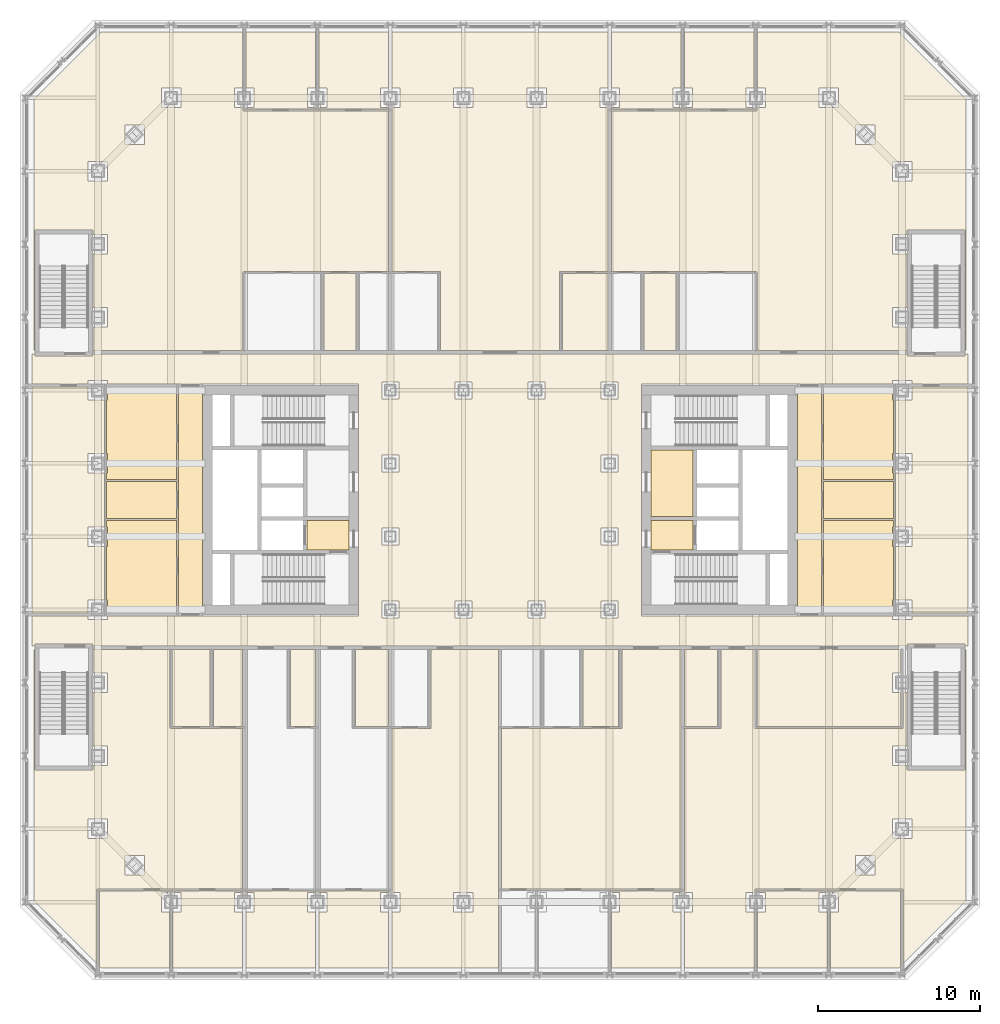
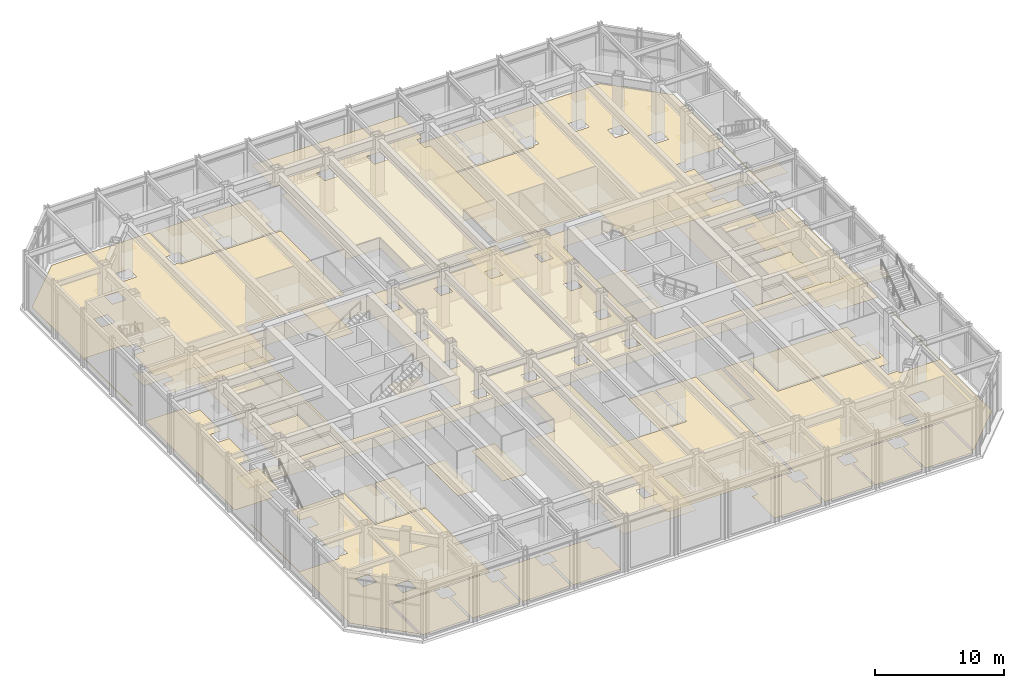
# One storey, part 18 of 19: 4 coverings.
"""IFC4 building model written with IfcOpenShell, lengths in metres."""

import ifcopenshell
import ifcopenshell.guid

model = None  # the IFC model being written
_history = None  # IfcOwnerHistory: only IFC2X3 demands one
_inside = {}  # id of a spatial element -> (the spatial element, [elements in it])
_under = {}  # id of a project, library or spatial element -> (it, [spatial elements below it])
_declared = {}  # id of a project -> (the project, [libraries it declares])
_typed = {}  # id of a type object -> (the type object, [elements of that type])
_made_of = {}  # id of a material, layer set ... -> (it, [elements and type objects made of it])


def new_model(schema):
    """Start an empty IFC model of exactly this schema.

    Asked for "IFC4X3", IfcOpenShell would pick the latest addendum, in which some entities
    have other attributes; the version numbers below select the first issue.
    IFC2X3 requires an IfcOwnerHistory on every rooted entity: one is made here for all.
    """
    global model, _history
    if schema == "IFC4X3":
        model = ifcopenshell.file(schema_version=(4, 3, 0, 0))
    else:
        model = ifcopenshell.file(schema=schema)
    _inside.clear()
    _under.clear()
    _declared.clear()
    _typed.clear()
    _made_of.clear()
    _history = None
    if model.schema == "IFC2X3":
        org = make("IfcOrganization", Name="unknown")
        user = make(
            "IfcPersonAndOrganization",
            ThePerson=make("IfcPerson", FamilyName="unknown"),
            TheOrganization=org,
        )
        app = make(
            "IfcApplication",
            ApplicationDeveloper=org,
            Version="unknown",
            ApplicationFullName="unknown",
            ApplicationIdentifier="unknown",
        )
        _history = make(
            "IfcOwnerHistory",
            OwningUser=user,
            OwningApplication=app,
            ChangeAction="ADDED",
            CreationDate=0,
        )
    return model


def make(cls, **values):
    """One entity of the class cls with the attributes given. An attribute that is None is left unset."""
    return model.create_entity(
        cls, **{name: value for name, value in values.items() if value is not None}
    )


def rooted(cls, **values):
    """An entity with a GlobalId (a new one), such as an element, a storey or a relation."""
    return make(cls, GlobalId=ifcopenshell.guid.new(), OwnerHistory=_history, **values)


def si_unit(unit_type, name, prefix=None):
    """IfcSIUnit, for example si_unit("LENGTHUNIT", "METRE", prefix="MILLI")."""
    return make("IfcSIUnit", UnitType=unit_type, Prefix=prefix, Name=name)


def assignment(units):
    """IfcUnitAssignment: the units of a project."""
    return None if units is None else make("IfcUnitAssignment", Units=units)


def point(xyz):
    """IfcCartesianPoint."""
    return None if xyz is None else make("IfcCartesianPoint", Coordinates=xyz)


def direction(xyz):
    """IfcDirection."""
    return None if xyz is None else make("IfcDirection", DirectionRatios=xyz)


def frame(location, z_axis=None, x_axis=None):
    """IfcAxis2Placement3D, a coordinate frame: its origin and axes. An axis left out is left unset."""
    return make(
        "IfcAxis2Placement3D",
        Location=point(location),
        Axis=direction(z_axis),
        RefDirection=direction(x_axis),
    )


def origin():
    """The frame at (0, 0, 0) with its axes left unset."""
    return frame((0.0, 0.0, 0.0))


def place(relative_to, where):
    """IfcLocalPlacement: puts the frame where relative to a parent placement (None: the world)."""
    return make(
        "IfcLocalPlacement", PlacementRelTo=relative_to, RelativePlacement=where
    )


def context(
    kind, dimensions, precision=None, world=None, true_north=None, identifier=None
):
    """IfcGeometricRepresentationContext, for example the 3D "Model" context."""
    return make(
        "IfcGeometricRepresentationContext",
        ContextIdentifier=identifier,
        ContextType=kind,
        CoordinateSpaceDimension=dimensions,
        Precision=precision,
        WorldCoordinateSystem=world,
        TrueNorth=true_north,
    )


def subcontext(parent, identifier, kind, view, scale=None):
    """IfcGeometricRepresentationSubContext, for example "Body" below "Model"."""
    return make(
        "IfcGeometricRepresentationSubContext",
        ContextIdentifier=identifier,
        ContextType=kind,
        ParentContext=parent,
        TargetScale=scale,
        TargetView=view,
    )


def project(units=None, contexts=None):
    """IfcProject with its units and contexts."""
    return rooted(
        "IfcProject",
        Name="project",
        RepresentationContexts=contexts,
        UnitsInContext=assignment(units),
    )


def spatial(cls, under=None, at=None, **own):
    """A site, building, storey or space (cls), placed at a placement, below another one or the project."""
    s = rooted(cls, ObjectPlacement=at, **own)
    if under is not None:
        _under.setdefault(under.id(), (under, []))[1].append(s)
    return s


def point_list(points):
    """IfcCartesianPointList2D or 3D."""
    cls = (
        "IfcCartesianPointList2D" if len(points[0]) == 2 else "IfcCartesianPointList3D"
    )
    return make(cls, CoordList=points)


def line(*indices):
    """IfcLineIndex: a straight run through numbered points of an indexed curve."""
    return model.create_entity("IfcLineIndex", indices)


def indexed_curve(points, segments=None, self_intersect=None):
    """IfcIndexedPolyCurve: lines and arcs through numbered points (the first is 1)."""
    return make(
        "IfcIndexedPolyCurve",
        Points=point_list(points),
        Segments=segments,
        SelfIntersect=self_intersect,
    )


def outline(outer, holes=None, kind="AREA"):
    """IfcArbitraryClosedProfileDef: a profile drawn as a closed curve; with holes, ...WithVoids."""
    if holes is None:
        return make("IfcArbitraryClosedProfileDef", ProfileType=kind, OuterCurve=outer)
    return make(
        "IfcArbitraryProfileDefWithVoids",
        ProfileType=kind,
        OuterCurve=outer,
        InnerCurves=holes,
    )


def extrude(swept, where, along, depth):
    """IfcExtrudedAreaSolid: the profile swept, set in the frame where, extruded along a direction by depth."""
    return make(
        "IfcExtrudedAreaSolid",
        SweptArea=swept,
        Position=where,
        ExtrudedDirection=direction(along),
        Depth=depth,
    )


def shape(context_of_items, identifier, shape_type, items):
    """IfcShapeRepresentation: the items that make up one representation, for example the "Body"."""
    return make(
        "IfcShapeRepresentation",
        ContextOfItems=context_of_items,
        RepresentationIdentifier=identifier,
        RepresentationType=shape_type,
        Items=items,
    )


def material(Name=None, Category=None):
    """IfcMaterial."""
    return make("IfcMaterial", Name=Name, Category=Category)


def layer(
    of_material, thickness, ventilated=None, Name=None, Category=None, Priority=None
):
    """IfcMaterialLayer: one layer of a wall or slab, of a material (None: an air gap)."""
    return make(
        "IfcMaterialLayer",
        Material=of_material,
        LayerThickness=thickness,
        IsVentilated=ventilated,
        Name=Name,
        Category=Category,
        Priority=Priority,
    )


def layer_set(layers, Name=None):
    """IfcMaterialLayerSet."""
    return make("IfcMaterialLayerSet", MaterialLayers=layers, LayerSetName=Name)


def made_of(thing, what):
    """Note that an element or type object is made of a material, layer set ...; save() writes the relation."""
    if what is not None:
        _made_of.setdefault(what.id(), (what, []))[1].append(thing)
    return thing


def type_object(cls, material=None, **own):
    """A type object (cls), such as IfcWallType, which elements share."""
    return made_of(rooted(cls, **own), material)


def element(
    cls,
    number,
    at=None,
    inside=None,
    cuts=None,
    type_object=None,
    material=None,
    context=None,
    identifier="Body",
    shape_type=None,
    held_by="IfcProductDefinitionShape",
    body=None,
    shapes=None,
    **own,
):
    """One element of the class cls, such as IfcWall. Its Tag is "e" and its number.

    at: its placement. inside: the storey or other place that contains it. cuts: it is an
    opening in that element (IfcRelVoidsElement). A single representation is given by context,
    identifier, shape_type and body (its items); several are given by shapes. held_by: the class
    of the entity that holds the representations. save() writes the other relations.
    """
    e = rooted(cls, Tag="e%d" % number, ObjectPlacement=at, **own)
    if body is not None:
        shapes = [shape(context, identifier, shape_type, body)]
    if shapes is not None:
        e.Representation = make(held_by, Representations=shapes)
    if inside is not None:
        _inside.setdefault(inside.id(), (inside, []))[1].append(e)
    if cuts is not None:
        rooted(
            "IfcRelVoidsElement", RelatingBuildingElement=cuts, RelatedOpeningElement=e
        )
    if type_object is not None:
        _typed.setdefault(type_object.id(), (type_object, []))[1].append(e)
    return made_of(e, material)


def aggregate(whole, parts):
    """IfcRelAggregates: a whole, such as a stair, and the parts it consists of."""
    return rooted("IfcRelAggregates", RelatingObject=whole, RelatedObjects=parts)


def save(model, path):
    """Write the relations noted so far, then the file.

    IfcRelAggregates (storeys below a building ...), IfcRelContainedInSpatialStructure (elements
    in a storey), IfcRelDefinesByType, IfcRelAssociatesMaterial and IfcRelDeclares: one each for
    every whole, place, type object, material and project.
    """
    for whole, parts in _under.values():
        aggregate(whole, parts)
    for where, things in _inside.values():
        rooted(
            "IfcRelContainedInSpatialStructure",
            RelatedElements=things,
            RelatingStructure=where,
        )
    for kind, things in _typed.values():
        rooted("IfcRelDefinesByType", RelatedObjects=things, RelatingType=kind)
    for what, things in _made_of.values():
        rooted("IfcRelAssociatesMaterial", RelatedObjects=things, RelatingMaterial=what)
    for by, libraries in _declared.values():
        rooted("IfcRelDeclares", RelatingContext=by, RelatedDefinitions=libraries)
    model.write(path)


model = new_model("IFC4")

# Units and contexts
model_context = context("Model", 3, precision=1e-05, world=origin(), true_north=direction((0.0, 1.0)))
body_context = subcontext(model_context, "Body", "Model", "MODEL_VIEW")
ifc_project = project(units=[si_unit("LENGTHUNIT", "METRE"), si_unit("AREAUNIT", "SQUARE_METRE"), si_unit("VOLUMEUNIT", "CUBIC_METRE"), si_unit("PLANEANGLEUNIT", "RADIAN"), si_unit("MASSUNIT", "GRAM", prefix="KILO")], contexts=[model_context])

# Site, building, storey
site_placement = place(None, origin())
site = spatial("IfcSite", under=ifc_project, at=site_placement, CompositionType="ELEMENT")
building_placement = place(site_placement, origin())
building = spatial("IfcBuilding", under=site, at=building_placement, Name="Msasa Ring Tower", CompositionType="ELEMENT")
storey_placement = place(building_placement, frame((0.0, 0.0, 16.0)))
storey = spatial("IfcBuildingStorey", under=building, at=storey_placement, Name="L03", CompositionType="ELEMENT", Elevation=16.0)

# Coverings
ifc_material_1 = material(Name="Gypsum plasterboard on a steel suspension grid", Category="steel")
ifc_layer_1 = layer(ifc_material_1, 0.014892578125)
ifc_layer_set_1 = layer_set([ifc_layer_1], Name="C1 SUSPENDED PLASTERBOARD CEILING 15")
covering_type_1 = type_object("IfcCoveringType", Name="C1 SUSPENDED PLASTERBOARD CEILING 15", PredefinedType="CEILING", material=ifc_layer_set_1)
covering_1_placement = place(storey_placement, frame((0.0, 0.0, 2.39990234375)))
element("IfcCovering", 1, at=covering_1_placement, inside=storey, type_object=covering_type_1, Name="Suspended Plasterboard Ceiling 15 circulation L03", PredefinedType="CEILING", context=body_context, shape_type="SweptSolid", body=[
    extrude(outline(indexed_curve([(-9.300537109375, -1.275390625), (-9.300537109375, -3.074462890625), (-11.87451171875, -3.074462890625), (-11.87451171875, -1.275390625)], segments=[line(1, 2, 3, 4, 1)], self_intersect=False)), origin(), (0.0, 0.0, 1.0), 0.01513671875),
    extrude(outline(indexed_curve([(11.87451171875, -3.074462890625), (9.300537109375, -3.074462890625), (9.300537109375, -1.275390625), (11.87451171875, -1.275390625)], segments=[line(1, 2, 3, 4, 1)], self_intersect=False)), origin(), (0.0, 0.0, 1.0), 0.01513671875),
    extrude(outline(indexed_curve([(11.87451171875, -1.0244140625), (9.300537109375, -1.0244140625), (9.300537109375, 3.074462890625), (11.87451171875, 3.074462890625)], segments=[line(1, 2, 3, 4, 1)], self_intersect=False)), origin(), (0.0, 0.0, 1.0), 0.01513671875),
])
covering_2_placement = place(storey_placement, frame((0.0, 0.0, 3.199951171875)))
element("IfcCovering", 2, at=covering_2_placement, inside=storey, type_object=covering_type_1, Name="Suspended Plasterboard Ceiling 15 public rooms L03", PredefinedType="CEILING", context=body_context, shape_type="SweptSolid", body=[
    extrude(outline(indexed_curve([(-8.699462890625, 7.150390625), (-24.1494140625, 7.150390625), (-24.1494140625, 7.3505859375), (-25.3505859375, 7.3505859375), (-25.3505859375, 7.150390625), (-28.799560546875, 7.150390625), (-28.799560546875, 8.99951171875), (-28.625, 8.99951171875), (-28.625, 8.87451171875), (-25.074951171875, 8.87451171875), (-25.074951171875, 8.99951171875), (25.074951171875, 8.99951171875), (25.074951171875, 8.87451171875), (28.625, 8.87451171875), (28.625, 8.99951171875), (28.799560546875, 8.99951171875), (28.799560546875, 7.150390625), (25.3505859375, 7.150390625), (25.3505859375, 7.3505859375), (24.1494140625, 7.3505859375), (24.1494140625, 7.150390625), (8.699462890625, 7.150390625), (8.699462890625, -7.150390625), (24.1494140625, -7.150390625), (24.1494140625, -7.3505859375), (25.3505859375, -7.3505859375), (25.3505859375, -7.150390625), (28.799560546875, -7.150390625), (28.799560546875, -8.99951171875), (28.625, -8.99951171875), (28.625, -8.87451171875), (25.074951171875, -8.87451171875), (25.074951171875, -8.99951171875), (-25.074951171875, -8.99951171875), (-25.074951171875, -8.87451171875), (-28.625, -8.87451171875), (-28.625, -8.99951171875), (-28.799560546875, -8.99951171875), (-28.799560546875, -7.150390625), (-25.3505859375, -7.150390625), (-25.3505859375, -7.3505859375), (-24.1494140625, -7.3505859375), (-24.1494140625, -7.150390625), (-8.699462890625, -7.150390625)], segments=[line(1, 2, 3, 4, 5, 6, 7, 8, 9, 10, 11, 12, 13, 14, 15, 16, 17, 18, 19, 20, 21, 22, 23, 24, 25, 26, 27, 28, 29, 30, 31, 32, 33, 34, 35, 36, 37, 38, 39, 40, 41, 42, 43, 44, 1)], self_intersect=False), holes=[indexed_curve([(-6.224609375, -7.275390625), (-6.224609375, -6.224609375), (-7.275390625, -6.224609375), (-7.275390625, -7.275390625)], segments=[line(1, 2, 3, 4, 1)], self_intersect=False), indexed_curve([(-2.775390625, -7.275390625), (-1.724609375, -7.275390625), (-1.724609375, -6.224609375), (-2.775390625, -6.224609375)], segments=[line(1, 2, 3, 4, 1)], self_intersect=False), indexed_curve([(-7.275390625, -2.775390625), (-6.224609375, -2.775390625), (-6.224609375, -1.724609375), (-7.275390625, -1.724609375)], segments=[line(1, 2, 3, 4, 1)], self_intersect=False), indexed_curve([(-6.224609375, 1.724609375), (-6.224609375, 2.775390625), (-7.275390625, 2.775390625), (-7.275390625, 1.724609375)], segments=[line(1, 2, 3, 4, 1)], self_intersect=False), indexed_curve([(-6.224609375, 6.224609375), (-6.224609375, 7.275390625), (-7.275390625, 7.275390625), (-7.275390625, 6.224609375)], segments=[line(1, 2, 3, 4, 1)], self_intersect=False), indexed_curve([(-1.724609375, 6.224609375), (-1.724609375, 7.275390625), (-2.775390625, 7.275390625), (-2.775390625, 6.224609375)], segments=[line(1, 2, 3, 4, 1)], self_intersect=False), indexed_curve([(2.775390625, -7.275390625), (2.775390625, -6.224609375), (1.724609375, -6.224609375), (1.724609375, -7.275390625)], segments=[line(1, 2, 3, 4, 1)], self_intersect=False), indexed_curve([(7.275390625, -7.275390625), (7.275390625, -6.224609375), (6.224609375, -6.224609375), (6.224609375, -7.275390625)], segments=[line(1, 2, 3, 4, 1)], self_intersect=False), indexed_curve([(6.224609375, -2.775390625), (7.275390625, -2.775390625), (7.275390625, -1.724609375), (6.224609375, -1.724609375)], segments=[line(1, 2, 3, 4, 1)], self_intersect=False), indexed_curve([(6.224609375, 1.724609375), (7.275390625, 1.724609375), (7.275390625, 2.775390625), (6.224609375, 2.775390625)], segments=[line(1, 2, 3, 4, 1)], self_intersect=False), indexed_curve([(2.775390625, 6.224609375), (2.775390625, 7.275390625), (1.724609375, 7.275390625), (1.724609375, 6.224609375)], segments=[line(1, 2, 3, 4, 1)], self_intersect=False), indexed_curve([(7.275390625, 6.224609375), (7.275390625, 7.275390625), (6.224609375, 7.275390625), (6.224609375, 6.224609375)], segments=[line(1, 2, 3, 4, 1)], self_intersect=False)]), origin(), (0.0, 0.0, 1.0), 0.01513671875),
    extrude(outline(indexed_curve([(-0.1005859375, -9.200439453125), (-0.1005859375, -28.799560546875), (-6.6494140625, -28.799560546875), (-6.6494140625, -25.3505859375), (-6.1494140625, -25.3505859375), (-6.1494140625, -24.1494140625), (-6.6494140625, -24.1494140625), (-6.6494140625, -14.060546875), (-4.24951171875, -14.060546875), (-4.24951171875, -9.200439453125)], segments=[line(1, 2, 3, 4, 5, 6, 7, 8, 9, 10, 1)], self_intersect=False), holes=[indexed_curve([(-1.6494140625, -25.3505859375), (-1.6494140625, -24.1494140625), (-2.8505859375, -24.1494140625), (-2.8505859375, -25.3505859375)], segments=[line(1, 2, 3, 4, 1)], self_intersect=False)]), origin(), (0.0, 0.0, 1.0), 0.01513671875),
    extrude(outline(indexed_curve([(-3.6494140625, 9.200439453125), (-3.6494140625, 14.060546875), (-6.6494140625, 14.060546875), (-6.6494140625, 24.1494140625), (-6.1494140625, 24.1494140625), (-6.1494140625, 25.3505859375), (-6.6494140625, 25.3505859375), (-6.6494140625, 28.799560546875), (6.6494140625, 28.799560546875), (6.6494140625, 25.3505859375), (6.1494140625, 25.3505859375), (6.1494140625, 24.1494140625), (6.6494140625, 24.1494140625), (6.6494140625, 14.060546875), (3.6494140625, 14.060546875), (3.6494140625, 9.200439453125)], segments=[line(1, 2, 3, 4, 5, 6, 7, 8, 9, 10, 11, 12, 13, 14, 15, 16, 1)], self_intersect=False), holes=[indexed_curve([(-2.8505859375, 24.1494140625), (-1.6494140625, 24.1494140625), (-1.6494140625, 25.3505859375), (-2.8505859375, 25.3505859375)], segments=[line(1, 2, 3, 4, 1)], self_intersect=False), indexed_curve([(1.6494140625, 24.1494140625), (2.8505859375, 24.1494140625), (2.8505859375, 25.3505859375), (1.6494140625, 25.3505859375)], segments=[line(1, 2, 3, 4, 1)], self_intersect=False)]), origin(), (0.0, 0.0, 1.0), 0.01513671875),
])
ifc_material_2 = material(Name="Moisture-resistant gypsum plasterboard on a steel suspension grid", Category="steel")
ifc_layer_2 = layer(ifc_material_2, 0.014892578125)
ifc_layer_set_2 = layer_set([ifc_layer_2], Name="C2 MOISTURE-RESISTANT PLASTERBOARD CEILING 15")
covering_type_2 = type_object("IfcCoveringType", Name="C2 MOISTURE-RESISTANT PLASTERBOARD CEILING 15", PredefinedType="CEILING", material=ifc_layer_set_2)
covering_3_placement = place(storey_placement, frame((0.0, 0.0, 2.39990234375)))
element("IfcCovering", 3, at=covering_3_placement, inside=storey, type_object=covering_type_2, Name="Moisture-Resistant Plasterboard Ceiling 15 L03", PredefinedType="CEILING", context=body_context, shape_type="SweptSolid", body=[
    extrude(outline(indexed_curve([(-24.239501953125, -2.8505859375), (-24.1494140625, -2.8505859375), (-24.1494140625, -1.6494140625), (-24.239501953125, -1.6494140625), (-24.239501953125, -1.255615234375), (-19.905517578125, -1.255615234375), (-19.905517578125, -6.949462890625), (-24.1494140625, -6.949462890625), (-24.1494140625, -6.1494140625), (-24.239501953125, -6.1494140625)], segments=[line(1, 2, 3, 4, 5, 6, 7, 8, 9, 10, 1)], self_intersect=False)), origin(), (0.0, 0.0, 1.0), 0.01513671875),
    extrude(outline(indexed_curve([(-24.239501953125, -1.14453125), (-24.239501953125, 1.14453125), (-19.905517578125, 1.14453125), (-19.905517578125, -1.14453125)], segments=[line(1, 2, 3, 4, 1)], self_intersect=False)), origin(), (0.0, 0.0, 1.0), 0.01513671875),
    extrude(outline(indexed_curve([(-24.239501953125, 1.255615234375), (-24.239501953125, 1.6494140625), (-24.1494140625, 1.6494140625), (-24.1494140625, 2.8505859375), (-24.239501953125, 2.8505859375), (-24.239501953125, 6.1494140625), (-24.1494140625, 6.1494140625), (-24.1494140625, 6.949462890625), (-19.905517578125, 6.949462890625), (-19.905517578125, 1.255615234375)], segments=[line(1, 2, 3, 4, 5, 6, 7, 8, 9, 10, 1)], self_intersect=False)), origin(), (0.0, 0.0, 1.0), 0.01513671875),
    extrude(outline(indexed_curve([(-19.79443359375, 6.949462890625), (-18.300537109375, 6.949462890625), (-18.300537109375, -6.949462890625), (-19.79443359375, -6.949462890625)], segments=[line(1, 2, 3, 4, 1)], self_intersect=False)), origin(), (0.0, 0.0, 1.0), 0.01513671875),
    extrude(outline(indexed_curve([(18.300537109375, -6.949462890625), (18.300537109375, 6.949462890625), (19.79443359375, 6.949462890625), (19.79443359375, -6.949462890625)], segments=[line(1, 2, 3, 4, 1)], self_intersect=False)), origin(), (0.0, 0.0, 1.0), 0.01513671875),
    extrude(outline(indexed_curve([(19.905517578125, -1.255615234375), (24.239501953125, -1.255615234375), (24.239501953125, -1.6494140625), (24.1494140625, -1.6494140625), (24.1494140625, -2.8505859375), (24.239501953125, -2.8505859375), (24.239501953125, -6.1494140625), (24.1494140625, -6.1494140625), (24.1494140625, -6.949462890625), (19.905517578125, -6.949462890625)], segments=[line(1, 2, 3, 4, 5, 6, 7, 8, 9, 10, 1)], self_intersect=False)), origin(), (0.0, 0.0, 1.0), 0.01513671875),
    extrude(outline(indexed_curve([(19.905517578125, -1.14453125), (19.905517578125, 1.14453125), (24.239501953125, 1.14453125), (24.239501953125, -1.14453125)], segments=[line(1, 2, 3, 4, 1)], self_intersect=False)), origin(), (0.0, 0.0, 1.0), 0.01513671875),
    extrude(outline(indexed_curve([(19.905517578125, 1.255615234375), (19.905517578125, 6.949462890625), (24.1494140625, 6.949462890625), (24.1494140625, 6.1494140625), (24.239501953125, 6.1494140625), (24.239501953125, 2.8505859375), (24.1494140625, 2.8505859375), (24.1494140625, 1.6494140625), (24.239501953125, 1.6494140625), (24.239501953125, 1.255615234375)], segments=[line(1, 2, 3, 4, 5, 6, 7, 8, 9, 10, 1)], self_intersect=False)), origin(), (0.0, 0.0, 1.0), 0.01513671875),
])
ifc_material_3 = material(Name="Welded vinyl safety sheet flooring", Category="vinyl")
ifc_layer_3 = layer(ifc_material_3, 0.0029296875)
ifc_layer_set_3 = layer_set([ifc_layer_3], Name="F5 RESILIENT SHEET FLOORING 3")
covering_type_3 = type_object("IfcCoveringType", Name="F5 RESILIENT SHEET FLOORING 3", PredefinedType="FLOORING", material=ifc_layer_set_3)
covering_4_placement = place(storey_placement, origin())
element("IfcCovering", 4, at=covering_4_placement, inside=storey, type_object=covering_type_3, Name="Resilient Sheet Flooring 3 L03", PredefinedType="FLOORING", context=body_context, shape_type="SweptSolid", body=[
    extrude(outline(indexed_curve([(-28.799560546875, 6.949462890625), (-25.3505859375, 6.949462890625), (-25.3505859375, 6.1494140625), (-24.3505859375, 6.1494140625), (-24.3505859375, 2.8505859375), (-25.3505859375, 2.8505859375), (-25.3505859375, 1.6494140625), (-24.3505859375, 1.6494140625), (-24.3505859375, -1.6494140625), (-25.3505859375, -1.6494140625), (-25.3505859375, -2.8505859375), (-24.3505859375, -2.8505859375), (-24.3505859375, -6.1494140625), (-25.3505859375, -6.1494140625), (-25.3505859375, -6.949462890625), (-28.799560546875, -6.949462890625)], segments=[line(1, 2, 3, 4, 5, 6, 7, 8, 9, 10, 11, 12, 13, 14, 15, 16, 1)], self_intersect=False)), origin(), (0.0, 0.0, 1.0), 0.0029296875),
    extrude(outline(indexed_curve([(-25.069580078125, -16.3505859375), (-24.1494140625, -16.3505859375), (-24.1494140625, -15.1494140625), (-25.069580078125, -15.1494140625), (-25.069580078125, -11.8505859375), (-24.1494140625, -11.8505859375), (-24.1494140625, -10.6494140625), (-25.069580078125, -10.6494140625), (-25.069580078125, -9.200439453125), (-20.3505859375, -9.200439453125), (-20.3505859375, -14.060546875), (-15.8505859375, -14.060546875), (-15.8505859375, -23.939453125), (-24.810546875, -23.939453125), (-24.810546875, -28.552490234375), (-28.699462890625, -24.663330078125), (-28.699462890625, -9.200439453125), (-28.630615234375, -9.200439453125), (-28.630615234375, -16.630615234375), (-25.069580078125, -16.630615234375)], segments=[line(1, 2, 3, 4, 5, 6, 7, 8, 9, 10, 11, 12, 13, 14, 15, 16, 17, 18, 19, 20, 1)], self_intersect=False), holes=[indexed_curve([(-23.1005859375, -23.1005859375), (-21.8994140625, -23.1005859375), (-21.8994140625, -21.8994140625), (-23.1005859375, -21.8994140625)], segments=[line(1, 2, 3, 4, 1)], self_intersect=False), indexed_curve([(-24.1494140625, -20.8505859375), (-24.1494140625, -19.6494140625), (-25.3505859375, -19.6494140625), (-25.3505859375, -20.8505859375)], segments=[line(1, 2, 3, 4, 1)], self_intersect=False)]), origin(), (0.0, 0.0, 1.0), 0.0029296875),
    extrude(outline(indexed_curve([(-25.069580078125, 10.6494140625), (-24.1494140625, 10.6494140625), (-24.1494140625, 11.8505859375), (-25.069580078125, 11.8505859375), (-25.069580078125, 15.1494140625), (-24.1494140625, 15.1494140625), (-24.1494140625, 16.3505859375), (-25.069580078125, 16.3505859375), (-25.069580078125, 16.630615234375), (-28.630615234375, 16.630615234375), (-28.630615234375, 9.200439453125), (-28.699462890625, 9.200439453125), (-28.699462890625, 24.663330078125), (-24.5634765625, 28.799560546875), (-15.810546875, 28.799560546875), (-15.810546875, 25.3505859375), (-16.3505859375, 25.3505859375), (-16.3505859375, 24.1494140625), (-15.810546875, 24.1494140625), (-15.810546875, 23.939453125), (-6.8505859375, 23.939453125), (-6.8505859375, 14.060546875), (-15.8505859375, 14.060546875), (-15.8505859375, 9.200439453125), (-25.069580078125, 9.200439453125)], segments=[line(1, 2, 3, 4, 5, 6, 7, 8, 9, 10, 11, 12, 13, 14, 15, 16, 17, 18, 19, 20, 21, 22, 23, 24, 25, 1)], self_intersect=False), holes=[indexed_curve([(-25.3505859375, 19.6494140625), (-24.1494140625, 19.6494140625), (-24.1494140625, 20.8505859375), (-25.3505859375, 20.8505859375)], segments=[line(1, 2, 3, 4, 1)], self_intersect=False), indexed_curve([(-21.8994140625, 21.8994140625), (-21.8994140625, 23.1005859375), (-23.1005859375, 23.1005859375), (-23.1005859375, 21.8994140625)], segments=[line(1, 2, 3, 4, 1)], self_intersect=False), indexed_curve([(-20.8505859375, 24.1494140625), (-19.6494140625, 24.1494140625), (-19.6494140625, 25.3505859375), (-20.8505859375, 25.3505859375)], segments=[line(1, 2, 3, 4, 1)], self_intersect=False)]), origin(), (0.0, 0.0, 1.0), 0.0029296875),
    extrude(outline(indexed_curve([(-20.3505859375, -24.060546875), (-20.3505859375, -24.1494140625), (-20.8505859375, -24.1494140625), (-20.8505859375, -25.3505859375), (-20.3505859375, -25.3505859375), (-20.3505859375, -28.799560546875), (-24.5634765625, -28.799560546875), (-24.6494140625, -28.71337890625), (-24.6494140625, -24.060546875)], segments=[line(1, 2, 3, 4, 5, 6, 7, 8, 9, 1)], self_intersect=False)), origin(), (0.0, 0.0, 1.0), 0.0029296875),
    extrude(outline(indexed_curve([(-20.1494140625, -28.799560546875), (-20.1494140625, -25.3505859375), (-19.6494140625, -25.3505859375), (-19.6494140625, -24.1494140625), (-20.1494140625, -24.1494140625), (-20.1494140625, -24.060546875), (-15.8505859375, -24.060546875), (-15.8505859375, -24.1494140625), (-16.3505859375, -24.1494140625), (-16.3505859375, -25.3505859375), (-15.8505859375, -25.3505859375), (-15.8505859375, -28.799560546875)], segments=[line(1, 2, 3, 4, 5, 6, 7, 8, 9, 10, 11, 12, 1)], self_intersect=False)), origin(), (0.0, 0.0, 1.0), 0.0029296875),
    extrude(outline(indexed_curve([(-17.8505859375, -13.939453125), (-20.1494140625, -13.939453125), (-20.1494140625, -9.200439453125), (-17.8505859375, -9.200439453125)], segments=[line(1, 2, 3, 4, 1)], self_intersect=False)), origin(), (0.0, 0.0, 1.0), 0.0029296875),
    extrude(outline(indexed_curve([(-15.8505859375, -13.939453125), (-17.6494140625, -13.939453125), (-17.6494140625, -9.200439453125), (-15.8505859375, -9.200439453125)], segments=[line(1, 2, 3, 4, 1)], self_intersect=False)), origin(), (0.0, 0.0, 1.0), 0.0029296875),
    extrude(outline(indexed_curve([(-15.6494140625, -28.799560546875), (-15.6494140625, -25.3505859375), (-15.1494140625, -25.3505859375), (-15.1494140625, -24.1494140625), (-15.6494140625, -24.1494140625), (-15.6494140625, -24.060546875), (-11.3505859375, -24.060546875), (-11.3505859375, -24.1494140625), (-11.8505859375, -24.1494140625), (-11.8505859375, -25.3505859375), (-11.3505859375, -25.3505859375), (-11.3505859375, -28.799560546875)], segments=[line(1, 2, 3, 4, 5, 6, 7, 8, 9, 10, 11, 12, 1)], self_intersect=False)), origin(), (0.0, 0.0, 1.0), 0.0029296875),
    extrude(outline(indexed_curve([(-11.3505859375, 28.799560546875), (-11.3505859375, 25.3505859375), (-11.8505859375, 25.3505859375), (-11.8505859375, 24.1494140625), (-11.3505859375, 24.1494140625), (-11.3505859375, 24.060546875), (-15.6494140625, 24.060546875), (-15.6494140625, 24.1494140625), (-15.1494140625, 24.1494140625), (-15.1494140625, 25.3505859375), (-15.6494140625, 25.3505859375), (-15.6494140625, 28.799560546875)], segments=[line(1, 2, 3, 4, 5, 6, 7, 8, 9, 10, 11, 12, 1)], self_intersect=False)), origin(), (0.0, 0.0, 1.0), 0.0029296875),
    extrude(outline(indexed_curve([(-11.3505859375, -9.200439453125), (-11.3505859375, -13.939453125), (-12.8994140625, -13.939453125), (-12.8994140625, -9.200439453125)], segments=[line(1, 2, 3, 4, 1)], self_intersect=False)), origin(), (0.0, 0.0, 1.0), 0.0029296875),
    extrude(outline(indexed_curve([(-11.1494140625, -28.799560546875), (-11.1494140625, -25.3505859375), (-10.6494140625, -25.3505859375), (-10.6494140625, -24.1494140625), (-11.1494140625, -24.1494140625), (-11.1494140625, -24.060546875), (-6.8505859375, -24.060546875), (-6.8505859375, -24.1494140625), (-7.3505859375, -24.1494140625), (-7.3505859375, -25.3505859375), (-6.8505859375, -25.3505859375), (-6.8505859375, -28.799560546875)], segments=[line(1, 2, 3, 4, 5, 6, 7, 8, 9, 10, 11, 12, 1)], self_intersect=False)), origin(), (0.0, 0.0, 1.0), 0.0029296875),
    extrude(outline(indexed_curve([(-6.8505859375, 28.799560546875), (-6.8505859375, 25.3505859375), (-7.3505859375, 25.3505859375), (-7.3505859375, 24.1494140625), (-6.8505859375, 24.1494140625), (-6.8505859375, 24.060546875), (-11.1494140625, 24.060546875), (-11.1494140625, 24.1494140625), (-10.6494140625, 24.1494140625), (-10.6494140625, 25.3505859375), (-11.1494140625, 25.3505859375), (-11.1494140625, 28.799560546875)], segments=[line(1, 2, 3, 4, 5, 6, 7, 8, 9, 10, 11, 12, 1)], self_intersect=False)), origin(), (0.0, 0.0, 1.0), 0.0029296875),
    extrude(outline(indexed_curve([(-8.8505859375, 9.200439453125), (-10.849609375, 9.200439453125), (-10.849609375, 13.939453125), (-8.8505859375, 13.939453125)], segments=[line(1, 2, 3, 4, 1)], self_intersect=False)), origin(), (0.0, 0.0, 1.0), 0.0029296875),
    extrude(outline(indexed_curve([(-8.8994140625, -13.939453125), (-8.8994140625, -9.200439453125), (-6.8505859375, -9.200439453125), (-6.8505859375, -13.939453125)], segments=[line(1, 2, 3, 4, 1)], self_intersect=False)), origin(), (0.0, 0.0, 1.0), 0.0029296875),
    extrude(outline(indexed_curve([(7.50048828125, -14.060546875), (7.50048828125, -9.200439453125), (11.1494140625, -9.200439453125), (11.1494140625, -23.939453125), (0.1005859375, -23.939453125), (0.1005859375, -14.060546875)], segments=[line(1, 2, 3, 4, 5, 6, 1)], self_intersect=False)), origin(), (0.0, 0.0, 1.0), 0.0029296875),
    extrude(outline(indexed_curve([(3.8505859375, 9.200439453125), (3.8505859375, 13.939453125), (6.6494140625, 13.939453125), (6.6494140625, 9.200439453125)], segments=[line(1, 2, 3, 4, 1)], self_intersect=False)), origin(), (0.0, 0.0, 1.0), 0.0029296875),
    extrude(outline(indexed_curve([(7.299560546875, -13.939453125), (5.1005859375, -13.939453125), (5.1005859375, -9.200439453125), (7.299560546875, -9.200439453125)], segments=[line(1, 2, 3, 4, 1)], self_intersect=False)), origin(), (0.0, 0.0, 1.0), 0.0029296875),
    extrude(outline(indexed_curve([(11.1494140625, -24.1494140625), (10.6494140625, -24.1494140625), (10.6494140625, -25.3505859375), (11.1494140625, -25.3505859375), (11.1494140625, -28.799560546875), (6.8505859375, -28.799560546875), (6.8505859375, -25.3505859375), (7.3505859375, -25.3505859375), (7.3505859375, -24.1494140625), (6.8505859375, -24.1494140625), (6.8505859375, -24.060546875), (11.1494140625, -24.060546875)], segments=[line(1, 2, 3, 4, 5, 6, 7, 8, 9, 10, 11, 12, 1)], self_intersect=False)), origin(), (0.0, 0.0, 1.0), 0.0029296875),
    extrude(outline(indexed_curve([(25.069580078125, 16.630615234375), (25.069580078125, 16.3505859375), (24.1494140625, 16.3505859375), (24.1494140625, 15.1494140625), (25.069580078125, 15.1494140625), (25.069580078125, 11.8505859375), (24.1494140625, 11.8505859375), (24.1494140625, 10.6494140625), (25.069580078125, 10.6494140625), (25.069580078125, 9.200439453125), (15.8505859375, 9.200439453125), (15.8505859375, 14.060546875), (6.8505859375, 14.060546875), (6.8505859375, 23.939453125), (15.810546875, 23.939453125), (15.810546875, 24.1494140625), (16.3505859375, 24.1494140625), (16.3505859375, 25.3505859375), (15.810546875, 25.3505859375), (15.810546875, 28.799560546875), (24.5634765625, 28.799560546875), (28.699462890625, 24.663330078125), (28.699462890625, 9.200439453125), (28.630615234375, 9.200439453125), (28.630615234375, 16.630615234375)], segments=[line(1, 2, 3, 4, 5, 6, 7, 8, 9, 10, 11, 12, 13, 14, 15, 16, 17, 18, 19, 20, 21, 22, 23, 24, 25, 1)], self_intersect=False), holes=[indexed_curve([(24.1494140625, 19.6494140625), (25.3505859375, 19.6494140625), (25.3505859375, 20.8505859375), (24.1494140625, 20.8505859375)], segments=[line(1, 2, 3, 4, 1)], self_intersect=False), indexed_curve([(21.8994140625, 21.8994140625), (23.1005859375, 21.8994140625), (23.1005859375, 23.1005859375), (21.8994140625, 23.1005859375)], segments=[line(1, 2, 3, 4, 1)], self_intersect=False), indexed_curve([(19.6494140625, 24.1494140625), (20.8505859375, 24.1494140625), (20.8505859375, 25.3505859375), (19.6494140625, 25.3505859375)], segments=[line(1, 2, 3, 4, 1)], self_intersect=False)]), origin(), (0.0, 0.0, 1.0), 0.0029296875),
    extrude(outline(indexed_curve([(11.1494140625, 28.799560546875), (11.1494140625, 25.3505859375), (10.6494140625, 25.3505859375), (10.6494140625, 24.1494140625), (11.1494140625, 24.1494140625), (11.1494140625, 24.060546875), (6.8505859375, 24.060546875), (6.8505859375, 24.1494140625), (7.3505859375, 24.1494140625), (7.3505859375, 25.3505859375), (6.8505859375, 25.3505859375), (6.8505859375, 28.799560546875)], segments=[line(1, 2, 3, 4, 5, 6, 7, 8, 9, 10, 11, 12, 1)], self_intersect=False)), origin(), (0.0, 0.0, 1.0), 0.0029296875),
    extrude(outline(indexed_curve([(10.849609375, 9.200439453125), (8.8505859375, 9.200439453125), (8.8505859375, 13.939453125), (10.849609375, 13.939453125)], segments=[line(1, 2, 3, 4, 1)], self_intersect=False)), origin(), (0.0, 0.0, 1.0), 0.0029296875),
    extrude(outline(indexed_curve([(28.630615234375, -16.630615234375), (28.630615234375, -9.200439453125), (28.699462890625, -9.200439453125), (28.699462890625, -24.663330078125), (24.810546875, -28.552490234375), (24.810546875, -23.939453125), (15.689453125, -23.939453125), (15.689453125, -24.1494140625), (15.1494140625, -24.1494140625), (15.1494140625, -25.3505859375), (15.689453125, -25.3505859375), (15.689453125, -28.799560546875), (11.3505859375, -28.799560546875), (11.3505859375, -25.3505859375), (11.8505859375, -25.3505859375), (11.8505859375, -24.1494140625), (11.3505859375, -24.1494140625), (11.3505859375, -14.060546875), (13.6005859375, -14.060546875), (13.6005859375, -9.200439453125), (15.6494140625, -9.200439453125), (15.6494140625, -14.060546875), (24.8505859375, -14.060546875), (24.8505859375, -11.8505859375), (25.069580078125, -11.8505859375), (25.069580078125, -15.1494140625), (24.1494140625, -15.1494140625), (24.1494140625, -16.3505859375), (25.069580078125, -16.3505859375), (25.069580078125, -16.630615234375)], segments=[line(1, 2, 3, 4, 5, 6, 7, 8, 9, 10, 11, 12, 13, 14, 15, 16, 17, 18, 19, 20, 21, 22, 23, 24, 25, 26, 27, 28, 29, 30, 1)], self_intersect=False), holes=[indexed_curve([(21.8994140625, -23.1005859375), (23.1005859375, -23.1005859375), (23.1005859375, -21.8994140625), (21.8994140625, -21.8994140625)], segments=[line(1, 2, 3, 4, 1)], self_intersect=False), indexed_curve([(25.3505859375, -20.8505859375), (25.3505859375, -19.6494140625), (24.1494140625, -19.6494140625), (24.1494140625, -20.8505859375)], segments=[line(1, 2, 3, 4, 1)], self_intersect=False)]), origin(), (0.0, 0.0, 1.0), 0.0029296875),
    extrude(outline(indexed_curve([(13.3994140625, -13.939453125), (11.3505859375, -13.939453125), (11.3505859375, -9.200439453125), (13.3994140625, -9.200439453125)], segments=[line(1, 2, 3, 4, 1)], self_intersect=False)), origin(), (0.0, 0.0, 1.0), 0.0029296875),
    extrude(outline(indexed_curve([(15.6494140625, 28.799560546875), (15.6494140625, 25.3505859375), (15.1494140625, 25.3505859375), (15.1494140625, 24.1494140625), (15.6494140625, 24.1494140625), (15.6494140625, 24.060546875), (11.3505859375, 24.060546875), (11.3505859375, 24.1494140625), (11.8505859375, 24.1494140625), (11.8505859375, 25.3505859375), (11.3505859375, 25.3505859375), (11.3505859375, 28.799560546875)], segments=[line(1, 2, 3, 4, 5, 6, 7, 8, 9, 10, 11, 12, 1)], self_intersect=False)), origin(), (0.0, 0.0, 1.0), 0.0029296875),
    extrude(outline(indexed_curve([(15.8505859375, -28.799560546875), (15.8505859375, -25.3505859375), (16.3505859375, -25.3505859375), (16.3505859375, -24.1494140625), (15.8505859375, -24.1494140625), (15.8505859375, -24.060546875), (20.1494140625, -24.060546875), (20.1494140625, -24.1494140625), (19.6494140625, -24.1494140625), (19.6494140625, -25.3505859375), (20.1494140625, -25.3505859375), (20.1494140625, -28.799560546875)], segments=[line(1, 2, 3, 4, 5, 6, 7, 8, 9, 10, 11, 12, 1)], self_intersect=False)), origin(), (0.0, 0.0, 1.0), 0.0029296875),
    extrude(outline(indexed_curve([(24.6494140625, -9.200439453125), (24.6494140625, -10.6494140625), (24.1494140625, -10.6494140625), (24.1494140625, -11.8505859375), (24.6494140625, -11.8505859375), (24.6494140625, -13.939453125), (15.8505859375, -13.939453125), (15.8505859375, -9.200439453125)], segments=[line(1, 2, 3, 4, 5, 6, 7, 8, 1)], self_intersect=False)), origin(), (0.0, 0.0, 1.0), 0.0029296875),
    extrude(outline(indexed_curve([(24.6494140625, -28.71337890625), (24.5634765625, -28.799560546875), (20.3505859375, -28.799560546875), (20.3505859375, -25.3505859375), (20.8505859375, -25.3505859375), (20.8505859375, -24.1494140625), (20.3505859375, -24.1494140625), (20.3505859375, -24.060546875), (24.6494140625, -24.060546875)], segments=[line(1, 2, 3, 4, 5, 6, 7, 8, 9, 1)], self_intersect=False)), origin(), (0.0, 0.0, 1.0), 0.0029296875),
    extrude(outline(indexed_curve([(28.799560546875, -6.949462890625), (25.3505859375, -6.949462890625), (25.3505859375, -6.1494140625), (24.3505859375, -6.1494140625), (24.3505859375, -2.8505859375), (25.3505859375, -2.8505859375), (25.3505859375, -1.6494140625), (24.3505859375, -1.6494140625), (24.3505859375, 1.6494140625), (25.3505859375, 1.6494140625), (25.3505859375, 2.8505859375), (24.3505859375, 2.8505859375), (24.3505859375, 6.1494140625), (25.3505859375, 6.1494140625), (25.3505859375, 6.949462890625), (28.799560546875, 6.949462890625)], segments=[line(1, 2, 3, 4, 5, 6, 7, 8, 9, 10, 11, 12, 13, 14, 15, 16, 1)], self_intersect=False)), origin(), (0.0, 0.0, 1.0), 0.0029296875),
])

save(model, "model.ifc")
